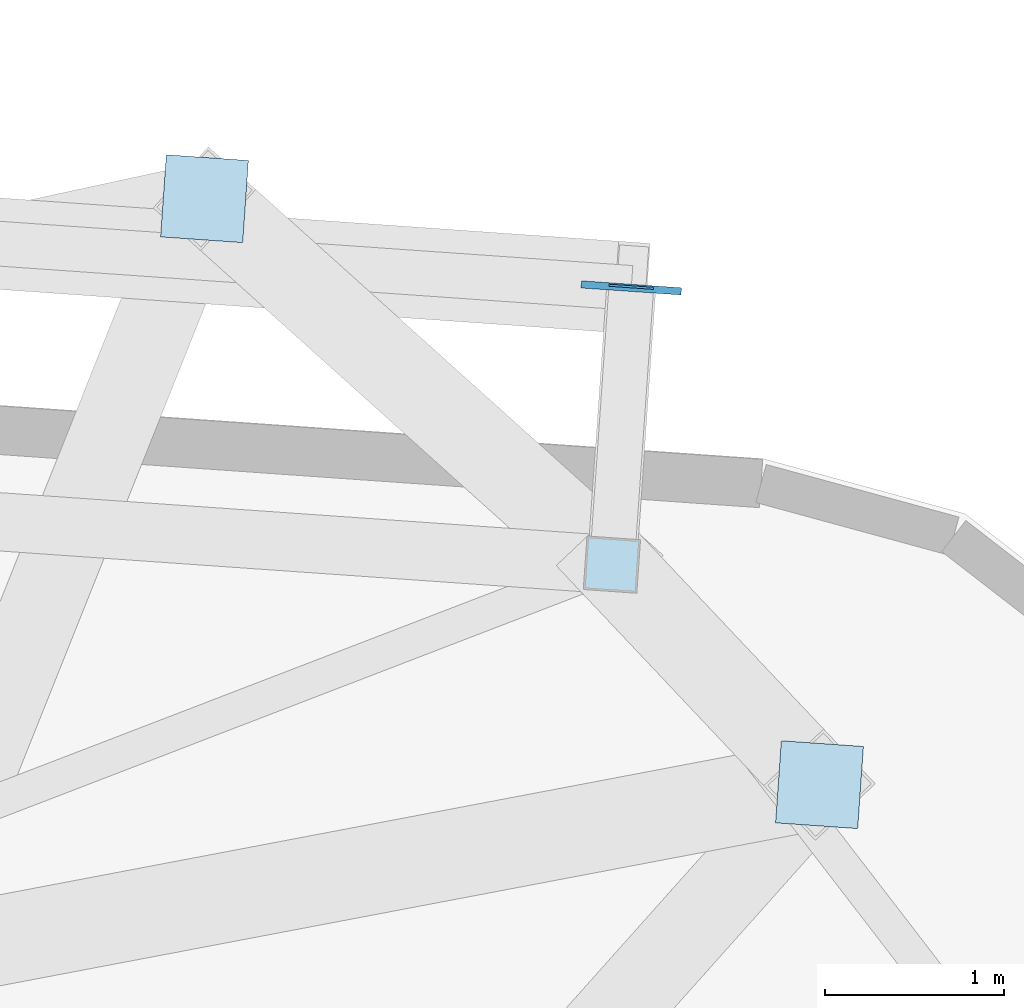
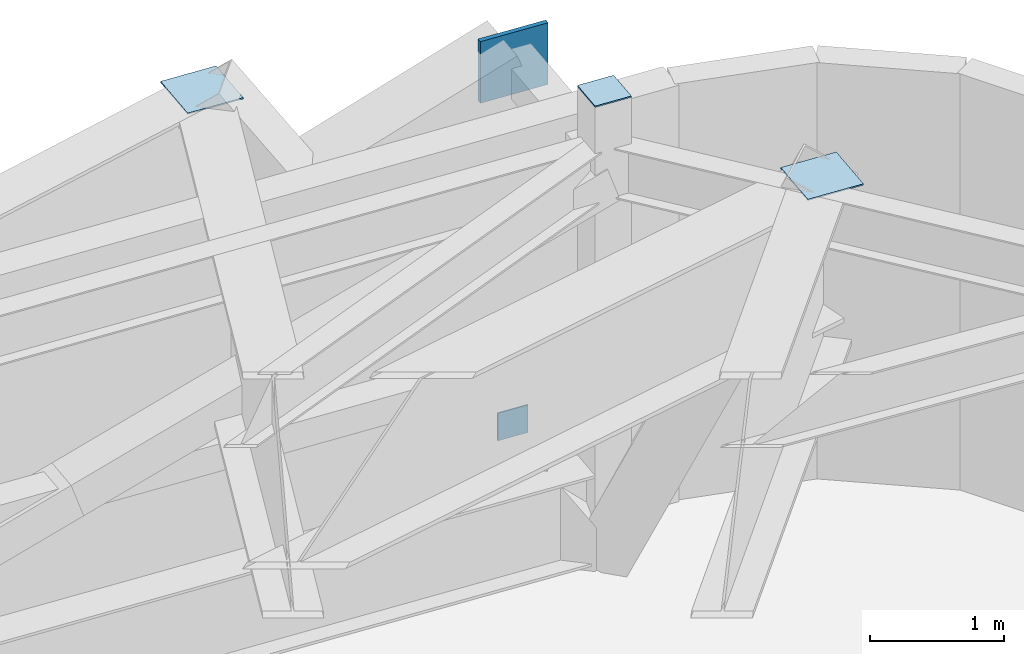
# One storey, part 20 of 24: 5 plates.
"""IFC4 building model written with IfcOpenShell, lengths in metres."""

from ifc_helpers import new_model, si_unit, direction, frame, origin, origin_2d, place, context, subcontext, project, spatial, rectangle, extrude, source, transform, mapped, material, layer, layer_set, type_object, element, save


model = new_model("IFC4")

# Units and contexts
model_context = context("Model", 3, precision=1e-05, world=origin(), true_north=direction((0.0, 1.0)))
body_context = subcontext(model_context, "Body", "Model", "MODEL_VIEW")
ifc_project = project(units=[si_unit("LENGTHUNIT", "METRE"), si_unit("AREAUNIT", "SQUARE_METRE"), si_unit("VOLUMEUNIT", "CUBIC_METRE"), si_unit("PLANEANGLEUNIT", "RADIAN"), si_unit("MASSUNIT", "GRAM", prefix="KILO")], contexts=[model_context])

# Site, building, storey
site_placement = place(None, origin())
site = spatial("IfcSite", under=ifc_project, at=site_placement, CompositionType="ELEMENT")
building_placement = place(site_placement, origin())
building = spatial("IfcBuilding", under=site, at=building_placement, Name="Taldren Reach Tower", CompositionType="ELEMENT")
storey_placement = place(building_placement, frame((0.0, 0.0, 164.5)))
storey = spatial("IfcBuildingStorey", under=building, at=storey_placement, Name="L50", CompositionType="ELEMENT", Elevation=164.5)

# Plates
ifc_material_1 = material(Name="Steel Gr 450 (C450L0)", Category="steel")
ifc_layer_1 = layer(ifc_material_1, 0.0400390625)
ifc_layer_set_1 = layer_set([ifc_layer_1], Name="Steel Gr 450 (C450L0)")
plate_type_1 = type_object("IfcPlateType", Name="PL-GUSSET-40", PredefinedType="SHEET", material=ifc_layer_set_1)
shared_shape_1 = source(origin(), body_context, "Body", "SweptSolid", [
    extrude(rectangle(XDim=0.56005859375, YDim=0.0400390625, at=origin_2d()), origin(), (0.0, 0.0, 1.0), 0.56005859375),
])
plate_1_placement = place(storey_placement, frame((58.544677734375, 36.40771484375, 3.219970703125), z_axis=(0.0, 0.0, 1.0), x_axis=(0.99756405026, -0.069756473744, 0.0)))
element("IfcPlate", 1, at=plate_1_placement, inside=storey, type_object=plate_type_1, Name="Exoskeleton star-node gusset plate B3-N6 L50", PredefinedType="SHEET", context=body_context, shape_type="MappedRepresentation", body=[
    mapped(shared_shape_1, transform((0.0, 0.0, 0.0), scale=1.0)),
])
ifc_material_2 = material(Name="Steel Gr 350 (C350L0)", Category="steel")
ifc_layer_2 = layer(ifc_material_2, 0.011962890625)
ifc_layer_set_2 = layer_set([ifc_layer_2], Name="Steel Gr 350 (C350L0)")
plate_type_2 = type_object("IfcPlateType", Name="PL-CAP-250", PredefinedType="SHEET", material=ifc_layer_set_2)
shared_shape_2 = source(origin(), body_context, "Body", "SweptSolid", [
    extrude(rectangle(XDim=0.25, YDim=0.011962890625, at=origin_2d()), origin(), (0.0, 0.0, 1.0), 0.25),
])
plate_2_placement = place(storey_placement, frame((58.544921875, 36.413818359375, 0.094970703125), z_axis=(0.0, 0.0, 1.0), x_axis=(0.99756405026, -0.069756473744, 0.0)))
element("IfcPlate", 2, at=plate_2_placement, inside=storey, type_object=plate_type_2, Name="Tie strut end cap plate B3-N6 L50", PredefinedType="SHEET", context=body_context, shape_type="MappedRepresentation", body=[
    mapped(shared_shape_2, transform((0.0, 0.0, 0.0), scale=1.0)),
])
ifc_layer_3 = layer(ifc_material_1, 0.011962890625)
ifc_layer_set_3 = layer_set([ifc_layer_3], Name="Steel Gr 450 (C450L0)")
plate_type_3 = type_object("IfcPlateType", Name="PL-CAP-460", PredefinedType="SHEET", material=ifc_layer_set_3)
shared_shape_3 = source(origin(), body_context, "Body", "SweptSolid", [
    extrude(rectangle(XDim=0.4599609375, YDim=0.4599609375, at=origin_2d()), origin(), (0.0, 0.0, 1.0), 0.011962890625),
])
for number, where, z_axis, x_axis, name in (
    (3, (56.160400390625, 36.906005859375, 3.76806640625), (0.0, 0.0, 1.0), (0.99756405026, -0.069756473744, 0.0), "Transfer strut end cap plate TS-B4-N6 L50"),
    (4, (59.596435546875, 33.632080078125, 3.76806640625), (0.0, 0.0, 1.0), (0.99756405026, -0.069756473744, 0.0), "Transfer strut end cap plate TS-B4-E3 L50"),
):
    element("IfcPlate", number, at=place(storey_placement, frame(where, z_axis=z_axis, x_axis=x_axis)), inside=storey, type_object=plate_type_3, Name=name, PredefinedType="SHEET", context=body_context, shape_type="MappedRepresentation", body=[
        mapped(shared_shape_3, transform((0.0, 0.0, 0.0), scale=1.0)),
    ])
ifc_layer_4 = layer(ifc_material_1, 0.011962890625)
ifc_layer_set_4 = layer_set([ifc_layer_4], Name="Steel Gr 450 (C450L0)")
plate_type_4 = type_object("IfcPlateType", Name="PL-CAP-300", PredefinedType="SHEET", material=ifc_layer_set_4)
shared_shape_4 = source(origin(), body_context, "Body", "SweptSolid", [
    extrude(rectangle(XDim=0.300048828125, YDim=0.300048828125, at=origin_2d()), origin(), (0.0, 0.0, 1.0), 0.011962890625),
])
plate_3_placement = place(storey_placement, frame((58.4365234375, 34.861572265625, 4.2001953125), z_axis=(0.0, 0.0, 1.0), x_axis=(0.99756405026, -0.069756473744, 0.0)))
element("IfcPlate", 5, at=plate_3_placement, inside=storey, type_object=plate_type_4, Name="Perimeter column end cap plate B3-N6 L50", PredefinedType="SHEET", context=body_context, shape_type="MappedRepresentation", body=[
    mapped(shared_shape_4, transform((0.0, 0.0, 0.0), scale=1.0)),
])

save(model, "model.ifc")
